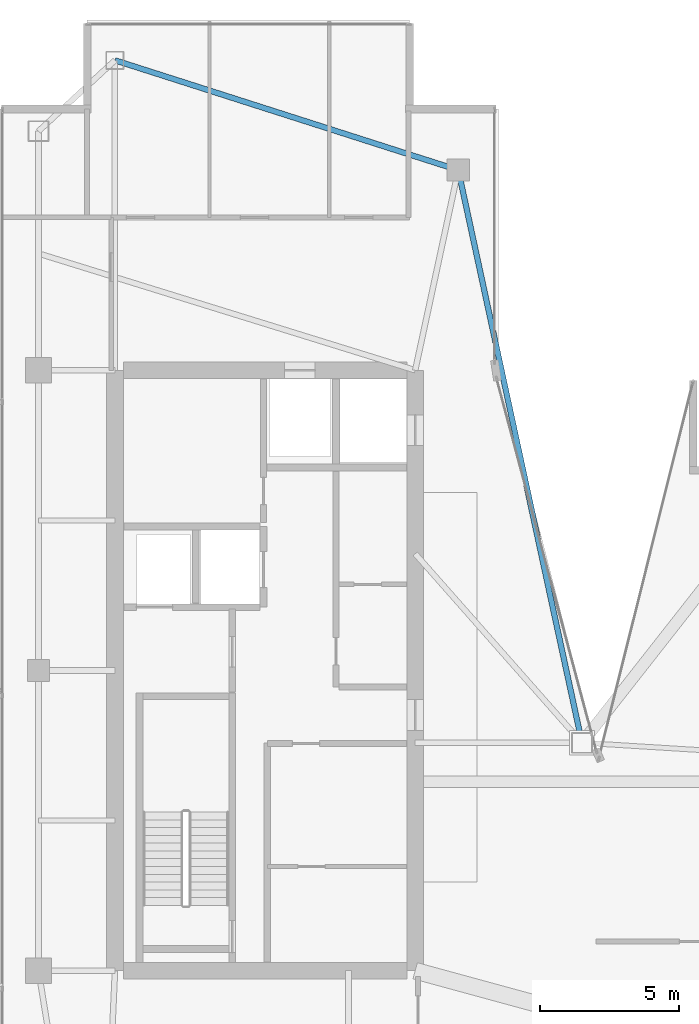
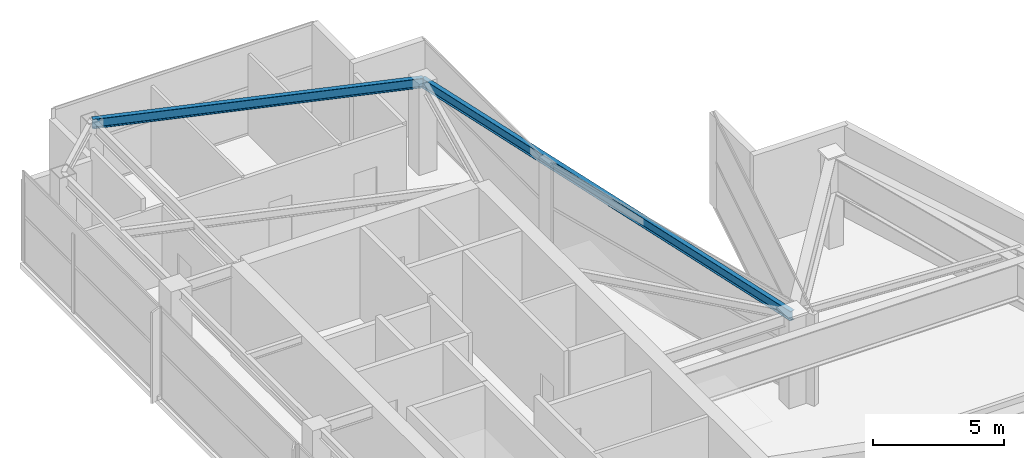
# One storey, part 17 of 25: 2 beams.
"""IFC4 building model written with IfcOpenShell, lengths in metres."""

import ifcopenshell
import ifcopenshell.guid

model = None  # the IFC model being written
_history = None  # IfcOwnerHistory: only IFC2X3 demands one
_inside = {}  # id of a spatial element -> (the spatial element, [elements in it])
_under = {}  # id of a project, library or spatial element -> (it, [spatial elements below it])
_declared = {}  # id of a project -> (the project, [libraries it declares])
_typed = {}  # id of a type object -> (the type object, [elements of that type])
_made_of = {}  # id of a material, layer set ... -> (it, [elements and type objects made of it])


def new_model(schema):
    """Start an empty IFC model of exactly this schema.

    Asked for "IFC4X3", IfcOpenShell would pick the latest addendum, in which some entities
    have other attributes; the version numbers below select the first issue.
    IFC2X3 requires an IfcOwnerHistory on every rooted entity: one is made here for all.
    """
    global model, _history
    if schema == "IFC4X3":
        model = ifcopenshell.file(schema_version=(4, 3, 0, 0))
    else:
        model = ifcopenshell.file(schema=schema)
    _inside.clear()
    _under.clear()
    _declared.clear()
    _typed.clear()
    _made_of.clear()
    _history = None
    if model.schema == "IFC2X3":
        org = make("IfcOrganization", Name="unknown")
        user = make(
            "IfcPersonAndOrganization",
            ThePerson=make("IfcPerson", FamilyName="unknown"),
            TheOrganization=org,
        )
        app = make(
            "IfcApplication",
            ApplicationDeveloper=org,
            Version="unknown",
            ApplicationFullName="unknown",
            ApplicationIdentifier="unknown",
        )
        _history = make(
            "IfcOwnerHistory",
            OwningUser=user,
            OwningApplication=app,
            ChangeAction="ADDED",
            CreationDate=0,
        )
    return model


def make(cls, **values):
    """One entity of the class cls with the attributes given. An attribute that is None is left unset."""
    return model.create_entity(
        cls, **{name: value for name, value in values.items() if value is not None}
    )


def rooted(cls, **values):
    """An entity with a GlobalId (a new one), such as an element, a storey or a relation."""
    return make(cls, GlobalId=ifcopenshell.guid.new(), OwnerHistory=_history, **values)


def si_unit(unit_type, name, prefix=None):
    """IfcSIUnit, for example si_unit("LENGTHUNIT", "METRE", prefix="MILLI")."""
    return make("IfcSIUnit", UnitType=unit_type, Prefix=prefix, Name=name)


def assignment(units):
    """IfcUnitAssignment: the units of a project."""
    return None if units is None else make("IfcUnitAssignment", Units=units)


def point(xyz):
    """IfcCartesianPoint."""
    return None if xyz is None else make("IfcCartesianPoint", Coordinates=xyz)


def direction(xyz):
    """IfcDirection."""
    return None if xyz is None else make("IfcDirection", DirectionRatios=xyz)


def frame(location, z_axis=None, x_axis=None):
    """IfcAxis2Placement3D, a coordinate frame: its origin and axes. An axis left out is left unset."""
    return make(
        "IfcAxis2Placement3D",
        Location=point(location),
        Axis=direction(z_axis),
        RefDirection=direction(x_axis),
    )


def frame_2d(location, x_axis=None):
    """IfcAxis2Placement2D, a coordinate frame in the plane: its origin and x axis."""
    return make(
        "IfcAxis2Placement2D", Location=point(location), RefDirection=direction(x_axis)
    )


def origin():
    """The frame at (0, 0, 0) with its axes left unset."""
    return frame((0.0, 0.0, 0.0))


def origin_2d():
    """The frame at (0, 0) in the plane with its x axis left unset."""
    return frame_2d((0.0, 0.0))


def place(relative_to, where):
    """IfcLocalPlacement: puts the frame where relative to a parent placement (None: the world)."""
    return make(
        "IfcLocalPlacement", PlacementRelTo=relative_to, RelativePlacement=where
    )


def context(
    kind, dimensions, precision=None, world=None, true_north=None, identifier=None
):
    """IfcGeometricRepresentationContext, for example the 3D "Model" context."""
    return make(
        "IfcGeometricRepresentationContext",
        ContextIdentifier=identifier,
        ContextType=kind,
        CoordinateSpaceDimension=dimensions,
        Precision=precision,
        WorldCoordinateSystem=world,
        TrueNorth=true_north,
    )


def subcontext(parent, identifier, kind, view, scale=None):
    """IfcGeometricRepresentationSubContext, for example "Body" below "Model"."""
    return make(
        "IfcGeometricRepresentationSubContext",
        ContextIdentifier=identifier,
        ContextType=kind,
        ParentContext=parent,
        TargetScale=scale,
        TargetView=view,
    )


def project(units=None, contexts=None):
    """IfcProject with its units and contexts."""
    return rooted(
        "IfcProject",
        Name="project",
        RepresentationContexts=contexts,
        UnitsInContext=assignment(units),
    )


def spatial(cls, under=None, at=None, **own):
    """A site, building, storey or space (cls), placed at a placement, below another one or the project."""
    s = rooted(cls, ObjectPlacement=at, **own)
    if under is not None:
        _under.setdefault(under.id(), (under, []))[1].append(s)
    return s


def profile(cls, at=None, kind="AREA", **sizes):
    """A parametric profile (cls). Its sizes go by their IFC names, for example OverallWidth=200.0."""
    return make(cls, ProfileType=kind, Position=at, **sizes)


def i_section(**sizes):
    """IfcIShapeProfileDef."""
    return profile("IfcIShapeProfileDef", **sizes)


def extrude(swept, where, along, depth):
    """IfcExtrudedAreaSolid: the profile swept, set in the frame where, extruded along a direction by depth."""
    return make(
        "IfcExtrudedAreaSolid",
        SweptArea=swept,
        Position=where,
        ExtrudedDirection=direction(along),
        Depth=depth,
    )


def shape(context_of_items, identifier, shape_type, items):
    """IfcShapeRepresentation: the items that make up one representation, for example the "Body"."""
    return make(
        "IfcShapeRepresentation",
        ContextOfItems=context_of_items,
        RepresentationIdentifier=identifier,
        RepresentationType=shape_type,
        Items=items,
    )


def material(Name=None, Category=None):
    """IfcMaterial."""
    return make("IfcMaterial", Name=Name, Category=Category)


def material_profile(
    of_material, cross_section, Name=None, Category=None, Priority=None
):
    """IfcMaterialProfile: a cross section and its material."""
    return make(
        "IfcMaterialProfile",
        Name=Name,
        Material=of_material,
        Profile=cross_section,
        Priority=Priority,
        Category=Category,
    )


def profile_set(profiles, Name=None, composite=None):
    """IfcMaterialProfileSet."""
    return make(
        "IfcMaterialProfileSet",
        Name=Name,
        MaterialProfiles=profiles,
        CompositeProfile=composite,
    )


def made_of(thing, what):
    """Note that an element or type object is made of a material, layer set ...; save() writes the relation."""
    if what is not None:
        _made_of.setdefault(what.id(), (what, []))[1].append(thing)
    return thing


def type_object(cls, material=None, **own):
    """A type object (cls), such as IfcWallType, which elements share."""
    return made_of(rooted(cls, **own), material)


def element(
    cls,
    number,
    at=None,
    inside=None,
    cuts=None,
    type_object=None,
    material=None,
    context=None,
    identifier="Body",
    shape_type=None,
    held_by="IfcProductDefinitionShape",
    body=None,
    shapes=None,
    **own,
):
    """One element of the class cls, such as IfcWall. Its Tag is "e" and its number.

    at: its placement. inside: the storey or other place that contains it. cuts: it is an
    opening in that element (IfcRelVoidsElement). A single representation is given by context,
    identifier, shape_type and body (its items); several are given by shapes. held_by: the class
    of the entity that holds the representations. save() writes the other relations.
    """
    e = rooted(cls, Tag="e%d" % number, ObjectPlacement=at, **own)
    if body is not None:
        shapes = [shape(context, identifier, shape_type, body)]
    if shapes is not None:
        e.Representation = make(held_by, Representations=shapes)
    if inside is not None:
        _inside.setdefault(inside.id(), (inside, []))[1].append(e)
    if cuts is not None:
        rooted(
            "IfcRelVoidsElement", RelatingBuildingElement=cuts, RelatedOpeningElement=e
        )
    if type_object is not None:
        _typed.setdefault(type_object.id(), (type_object, []))[1].append(e)
    return made_of(e, material)


def aggregate(whole, parts):
    """IfcRelAggregates: a whole, such as a stair, and the parts it consists of."""
    return rooted("IfcRelAggregates", RelatingObject=whole, RelatedObjects=parts)


def save(model, path):
    """Write the relations noted so far, then the file.

    IfcRelAggregates (storeys below a building ...), IfcRelContainedInSpatialStructure (elements
    in a storey), IfcRelDefinesByType, IfcRelAssociatesMaterial and IfcRelDeclares: one each for
    every whole, place, type object, material and project.
    """
    for whole, parts in _under.values():
        aggregate(whole, parts)
    for where, things in _inside.values():
        rooted(
            "IfcRelContainedInSpatialStructure",
            RelatedElements=things,
            RelatingStructure=where,
        )
    for kind, things in _typed.values():
        rooted("IfcRelDefinesByType", RelatedObjects=things, RelatingType=kind)
    for what, things in _made_of.values():
        rooted("IfcRelAssociatesMaterial", RelatedObjects=things, RelatingMaterial=what)
    for by, libraries in _declared.values():
        rooted("IfcRelDeclares", RelatingContext=by, RelatedDefinitions=libraries)
    model.write(path)


model = new_model("IFC4")

# Units and contexts
model_context = context("Model", 3, precision=1e-05, world=origin(), true_north=direction((0.0, 1.0)))
body_context = subcontext(model_context, "Body", "Model", "MODEL_VIEW")
ifc_project = project(units=[si_unit("LENGTHUNIT", "METRE"), si_unit("AREAUNIT", "SQUARE_METRE"), si_unit("VOLUMEUNIT", "CUBIC_METRE"), si_unit("PLANEANGLEUNIT", "RADIAN"), si_unit("MASSUNIT", "GRAM", prefix="KILO")], contexts=[model_context])

# Site, building, storey
site_placement = place(None, origin())
site = spatial("IfcSite", under=ifc_project, at=site_placement, CompositionType="ELEMENT")
building_placement = place(site_placement, origin())
building = spatial("IfcBuilding", under=site, at=building_placement, Name="Calvorn Quay Hotel", CompositionType="ELEMENT")
storey_placement = place(building_placement, frame((0.0, 0.0, 316.0)))
storey = spatial("IfcBuildingStorey", under=building, at=storey_placement, Name="L78", CompositionType="ELEMENT", Elevation=316.0)

# Beams
ifc_material = material(Name="Steel Q355B", Category="steel")
ifc_material_profile = material_profile(ifc_material, i_section(OverallWidth=0.199951171875, OverallDepth=0.449951171875, WebThickness=0.009033203125, FlangeThickness=0.013916015625, FilletRadius=0.01611328125, at=origin_2d()), Name="HN450x200x9x14")
ifc_profile_set = profile_set([ifc_material_profile], Name="Steel Q355B")
beam_type = type_object("IfcBeamType", Name="BM-SPANDREL-Z3", PredefinedType="SPANDREL", material=ifc_profile_set)
beam_1_placement = place(storey_placement, frame((4.199951171875, 49.550048828125, 4.014892578125), z_axis=(0.952470702374, -0.304630203885, 0.0), x_axis=(0.304630203885, 0.952470702374, 0.0)))
element("IfcBeam", 1, at=beam_1_placement, inside=storey, type_object=beam_type, Name="Beam BSP-L78-W6", PredefinedType="SPANDREL", context=body_context, shape_type="SweptSolid", body=[
    extrude(i_section(OverallWidth=0.199951171875, OverallDepth=0.449951171875, WebThickness=0.009033203125, FlangeThickness=0.013916015625, FilletRadius=0.01611328125, at=origin_2d()), origin(), (0.0, 0.0, 1.0), 12.96630859375),
])
beam_2_placement = place(storey_placement, frame((16.550048828125, 45.60009765625, 4.014892578125), z_axis=(0.211145848376, -0.977454567084, 0.0), x_axis=(0.977454567084, 0.211145848376, 0.0)))
element("IfcBeam", 2, at=beam_2_placement, inside=storey, type_object=beam_type, Name="Beam BSP-L78-W7", PredefinedType="SPANDREL", context=body_context, shape_type="SweptSolid", body=[
    extrude(i_section(OverallWidth=0.199951171875, OverallDepth=0.449951171875, WebThickness=0.009033203125, FlangeThickness=0.013916015625, FilletRadius=0.01611328125, at=origin_2d()), origin(), (0.0, 0.0, 1.0), 21.0751953125),
])

save(model, "model.ifc")
